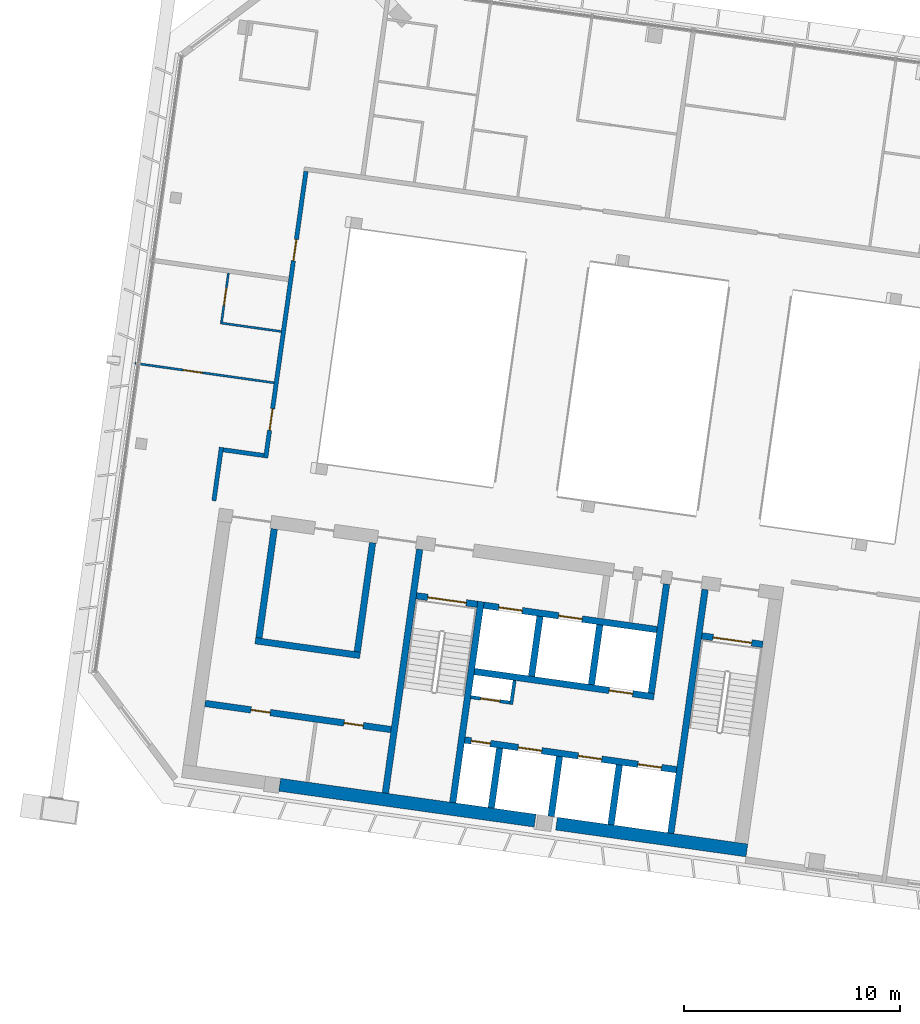
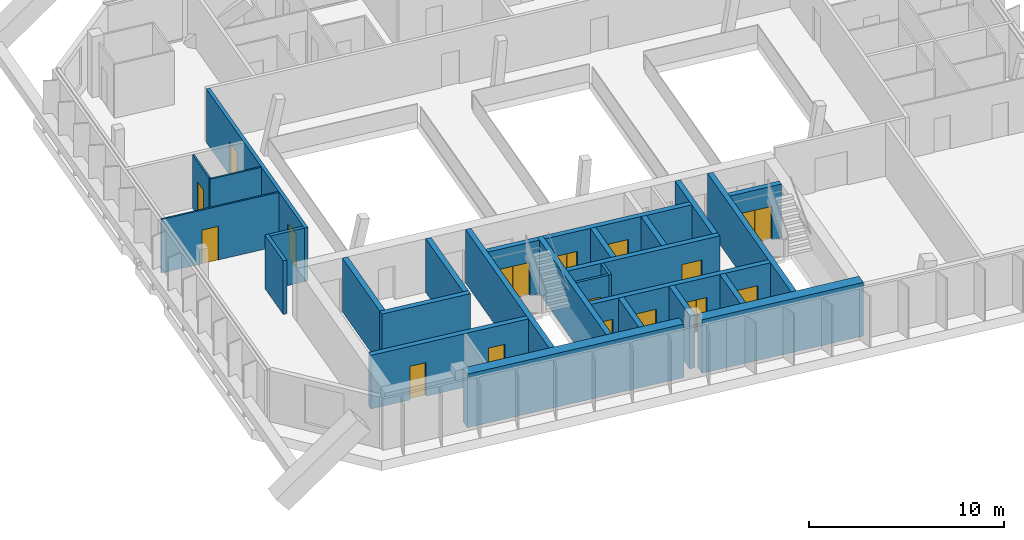
# One storey, part 14 of 25: 28 walls, 16 doors, 16 openings.
"""IFC4 building model written with IfcOpenShell, lengths in metres."""

import ifcopenshell
import ifcopenshell.guid

model = None  # the IFC model being written
_history = None  # IfcOwnerHistory: only IFC2X3 demands one
_inside = {}  # id of a spatial element -> (the spatial element, [elements in it])
_under = {}  # id of a project, library or spatial element -> (it, [spatial elements below it])
_declared = {}  # id of a project -> (the project, [libraries it declares])
_typed = {}  # id of a type object -> (the type object, [elements of that type])
_made_of = {}  # id of a material, layer set ... -> (it, [elements and type objects made of it])


def new_model(schema):
    """Start an empty IFC model of exactly this schema.

    Asked for "IFC4X3", IfcOpenShell would pick the latest addendum, in which some entities
    have other attributes; the version numbers below select the first issue.
    IFC2X3 requires an IfcOwnerHistory on every rooted entity: one is made here for all.
    """
    global model, _history
    if schema == "IFC4X3":
        model = ifcopenshell.file(schema_version=(4, 3, 0, 0))
    else:
        model = ifcopenshell.file(schema=schema)
    _inside.clear()
    _under.clear()
    _declared.clear()
    _typed.clear()
    _made_of.clear()
    _history = None
    if model.schema == "IFC2X3":
        org = make("IfcOrganization", Name="unknown")
        user = make(
            "IfcPersonAndOrganization",
            ThePerson=make("IfcPerson", FamilyName="unknown"),
            TheOrganization=org,
        )
        app = make(
            "IfcApplication",
            ApplicationDeveloper=org,
            Version="unknown",
            ApplicationFullName="unknown",
            ApplicationIdentifier="unknown",
        )
        _history = make(
            "IfcOwnerHistory",
            OwningUser=user,
            OwningApplication=app,
            ChangeAction="ADDED",
            CreationDate=0,
        )
    return model


def make(cls, **values):
    """One entity of the class cls with the attributes given. An attribute that is None is left unset."""
    return model.create_entity(
        cls, **{name: value for name, value in values.items() if value is not None}
    )


def rooted(cls, **values):
    """An entity with a GlobalId (a new one), such as an element, a storey or a relation."""
    return make(cls, GlobalId=ifcopenshell.guid.new(), OwnerHistory=_history, **values)


def si_unit(unit_type, name, prefix=None):
    """IfcSIUnit, for example si_unit("LENGTHUNIT", "METRE", prefix="MILLI")."""
    return make("IfcSIUnit", UnitType=unit_type, Prefix=prefix, Name=name)


def assignment(units):
    """IfcUnitAssignment: the units of a project."""
    return None if units is None else make("IfcUnitAssignment", Units=units)


def point(xyz):
    """IfcCartesianPoint."""
    return None if xyz is None else make("IfcCartesianPoint", Coordinates=xyz)


def direction(xyz):
    """IfcDirection."""
    return None if xyz is None else make("IfcDirection", DirectionRatios=xyz)


def frame(location, z_axis=None, x_axis=None):
    """IfcAxis2Placement3D, a coordinate frame: its origin and axes. An axis left out is left unset."""
    return make(
        "IfcAxis2Placement3D",
        Location=point(location),
        Axis=direction(z_axis),
        RefDirection=direction(x_axis),
    )


def frame_2d(location, x_axis=None):
    """IfcAxis2Placement2D, a coordinate frame in the plane: its origin and x axis."""
    return make(
        "IfcAxis2Placement2D", Location=point(location), RefDirection=direction(x_axis)
    )


def origin():
    """The frame at (0, 0, 0) with its axes left unset."""
    return frame((0.0, 0.0, 0.0))


def place(relative_to, where):
    """IfcLocalPlacement: puts the frame where relative to a parent placement (None: the world)."""
    return make(
        "IfcLocalPlacement", PlacementRelTo=relative_to, RelativePlacement=where
    )


def context(
    kind, dimensions, precision=None, world=None, true_north=None, identifier=None
):
    """IfcGeometricRepresentationContext, for example the 3D "Model" context."""
    return make(
        "IfcGeometricRepresentationContext",
        ContextIdentifier=identifier,
        ContextType=kind,
        CoordinateSpaceDimension=dimensions,
        Precision=precision,
        WorldCoordinateSystem=world,
        TrueNorth=true_north,
    )


def subcontext(parent, identifier, kind, view, scale=None):
    """IfcGeometricRepresentationSubContext, for example "Body" below "Model"."""
    return make(
        "IfcGeometricRepresentationSubContext",
        ContextIdentifier=identifier,
        ContextType=kind,
        ParentContext=parent,
        TargetScale=scale,
        TargetView=view,
    )


def project(units=None, contexts=None):
    """IfcProject with its units and contexts."""
    return rooted(
        "IfcProject",
        Name="project",
        RepresentationContexts=contexts,
        UnitsInContext=assignment(units),
    )


def spatial(cls, under=None, at=None, **own):
    """A site, building, storey or space (cls), placed at a placement, below another one or the project."""
    s = rooted(cls, ObjectPlacement=at, **own)
    if under is not None:
        _under.setdefault(under.id(), (under, []))[1].append(s)
    return s


def profile(cls, at=None, kind="AREA", **sizes):
    """A parametric profile (cls). Its sizes go by their IFC names, for example OverallWidth=200.0."""
    return make(cls, ProfileType=kind, Position=at, **sizes)


def rectangle(**sizes):
    """IfcRectangleProfileDef."""
    return profile("IfcRectangleProfileDef", **sizes)


def extrude(swept, where, along, depth):
    """IfcExtrudedAreaSolid: the profile swept, set in the frame where, extruded along a direction by depth."""
    return make(
        "IfcExtrudedAreaSolid",
        SweptArea=swept,
        Position=where,
        ExtrudedDirection=direction(along),
        Depth=depth,
    )


def shape(context_of_items, identifier, shape_type, items):
    """IfcShapeRepresentation: the items that make up one representation, for example the "Body"."""
    return make(
        "IfcShapeRepresentation",
        ContextOfItems=context_of_items,
        RepresentationIdentifier=identifier,
        RepresentationType=shape_type,
        Items=items,
    )


def material(Name=None, Category=None):
    """IfcMaterial."""
    return make("IfcMaterial", Name=Name, Category=Category)


def layer(
    of_material, thickness, ventilated=None, Name=None, Category=None, Priority=None
):
    """IfcMaterialLayer: one layer of a wall or slab, of a material (None: an air gap)."""
    return make(
        "IfcMaterialLayer",
        Material=of_material,
        LayerThickness=thickness,
        IsVentilated=ventilated,
        Name=Name,
        Category=Category,
        Priority=Priority,
    )


def layer_set(layers, Name=None):
    """IfcMaterialLayerSet."""
    return make("IfcMaterialLayerSet", MaterialLayers=layers, LayerSetName=Name)


def made_of(thing, what):
    """Note that an element or type object is made of a material, layer set ...; save() writes the relation."""
    if what is not None:
        _made_of.setdefault(what.id(), (what, []))[1].append(thing)
    return thing


def type_object(cls, material=None, **own):
    """A type object (cls), such as IfcWallType, which elements share."""
    return made_of(rooted(cls, **own), material)


def element(
    cls,
    number,
    at=None,
    inside=None,
    cuts=None,
    type_object=None,
    material=None,
    context=None,
    identifier="Body",
    shape_type=None,
    held_by="IfcProductDefinitionShape",
    body=None,
    shapes=None,
    **own,
):
    """One element of the class cls, such as IfcWall. Its Tag is "e" and its number.

    at: its placement. inside: the storey or other place that contains it. cuts: it is an
    opening in that element (IfcRelVoidsElement). A single representation is given by context,
    identifier, shape_type and body (its items); several are given by shapes. held_by: the class
    of the entity that holds the representations. save() writes the other relations.
    """
    e = rooted(cls, Tag="e%d" % number, ObjectPlacement=at, **own)
    if body is not None:
        shapes = [shape(context, identifier, shape_type, body)]
    if shapes is not None:
        e.Representation = make(held_by, Representations=shapes)
    if inside is not None:
        _inside.setdefault(inside.id(), (inside, []))[1].append(e)
    if cuts is not None:
        rooted(
            "IfcRelVoidsElement", RelatingBuildingElement=cuts, RelatedOpeningElement=e
        )
    if type_object is not None:
        _typed.setdefault(type_object.id(), (type_object, []))[1].append(e)
    return made_of(e, material)


def fill(opening, filler):
    """IfcRelFillsElement: the door or window that sits in an opening."""
    return rooted(
        "IfcRelFillsElement",
        RelatingOpeningElement=opening,
        RelatedBuildingElement=filler,
    )


def aggregate(whole, parts):
    """IfcRelAggregates: a whole, such as a stair, and the parts it consists of."""
    return rooted("IfcRelAggregates", RelatingObject=whole, RelatedObjects=parts)


def save(model, path):
    """Write the relations noted so far, then the file.

    IfcRelAggregates (storeys below a building ...), IfcRelContainedInSpatialStructure (elements
    in a storey), IfcRelDefinesByType, IfcRelAssociatesMaterial and IfcRelDeclares: one each for
    every whole, place, type object, material and project.
    """
    for whole, parts in _under.values():
        aggregate(whole, parts)
    for where, things in _inside.values():
        rooted(
            "IfcRelContainedInSpatialStructure",
            RelatedElements=things,
            RelatingStructure=where,
        )
    for kind, things in _typed.values():
        rooted("IfcRelDefinesByType", RelatedObjects=things, RelatingType=kind)
    for what, things in _made_of.values():
        rooted("IfcRelAssociatesMaterial", RelatedObjects=things, RelatingMaterial=what)
    for by, libraries in _declared.values():
        rooted("IfcRelDeclares", RelatingContext=by, RelatedDefinitions=libraries)
    model.write(path)


model = new_model("IFC4")

# Units and contexts
model_context = context("Model", 3, precision=1e-05, world=origin(), true_north=direction((0.0, 1.0)))
body_context = subcontext(model_context, "Body", "Model", "MODEL_VIEW")
ifc_project = project(units=[si_unit("LENGTHUNIT", "METRE"), si_unit("AREAUNIT", "SQUARE_METRE"), si_unit("VOLUMEUNIT", "CUBIC_METRE"), si_unit("PLANEANGLEUNIT", "RADIAN"), si_unit("MASSUNIT", "GRAM", prefix="KILO")], contexts=[model_context])

# Site, building, storey
site_placement = place(None, origin())
site = spatial("IfcSite", under=ifc_project, at=site_placement, CompositionType="ELEMENT")
building_placement = place(site_placement, origin())
building = spatial("IfcBuilding", under=site, at=building_placement, Name="Mirante Cascada Hotel Towers", CompositionType="ELEMENT")
storey_placement = place(building_placement, frame((0.0, 0.0, 247.0)))
storey = spatial("IfcBuildingStorey", under=building, at=storey_placement, Name="L59", CompositionType="ELEMENT", Elevation=247.0)

# Wall
ifc_material_1 = material(Name="Fire-rated plasterboard on metal studs")
ifc_layer_1 = layer(ifc_material_1, 0.2)
ifc_layer_set_1 = layer_set([ifc_layer_1], Name="Compartment wall 200 EI 120")
wall_type_1 = type_object("IfcWallType", Name="Compartment wall 200 EI 120", PredefinedType="PARTITIONING", material=ifc_layer_set_1)
wall_1_placement = place(storey_placement, frame((-59.6861, -1.2613, 0.0), z_axis=(0.0, 0.0, 1.0), x_axis=(-0.9902701, 0.1391589, 0.0)))
element("IfcWall", 1, at=wall_1_placement, inside=storey, type_object=wall_type_1, Name="Wall 1-L59-04", PredefinedType="PARTITIONING", context=body_context, shape_type="SweptSolid", body=[
    extrude(rectangle(XDim=1.9, YDim=0.2, at=frame_2d((0.95, 0.0))), origin(), (0.0, 0.0, 1.0), 3.35),
])

# Wall, openings, doors
wall_2_placement = place(storey_placement, frame((-59.601, -1.3742, 0.0), z_axis=(0.0, 0.0, 1.0), x_axis=(0.1391726, 0.9902681, 0.0)))
wall_2 = element("IfcWall", 2, at=wall_2_placement, inside=storey, type_object=wall_type_1, Name="Wall 1-L59-46", PredefinedType="PARTITIONING", context=body_context, shape_type="SweptSolid", body=[
    extrude(rectangle(XDim=13.3999, YDim=0.2, at=frame_2d((6.7, 0.0))), origin(), (0.0, 0.0, 1.0), 3.35),
])
opening_1_placement = place(wall_2_placement, frame((1.3, 0.0, 0.0)))
opening_1 = element("IfcOpeningElement", 3, at=opening_1_placement, cuts=wall_2, Name="Opening D1-L59-29", PredefinedType="OPENING", context=body_context, shape_type="SweptSolid", body=[
    extrude(rectangle(XDim=1.0, YDim=2.1, at=frame_2d((0.5, 1.05))), frame((0.0, 0.1, 0.0), z_axis=(0.0, -1.0, 0.0), x_axis=(1.0, 0.0, 0.0)), (0.0, 0.0, 1.0), 0.2),
])
opening_2_placement = place(wall_2_placement, frame((9.2166, 0.0, 0.0)))
opening_2 = element("IfcOpeningElement", 4, at=opening_2_placement, cuts=wall_2, Name="Opening D1-L59-30", PredefinedType="OPENING", context=body_context, shape_type="SweptSolid", body=[
    extrude(rectangle(XDim=1.0, YDim=2.1, at=frame_2d((0.5, 1.05))), frame((0.0, 0.1, 0.0), z_axis=(0.0, -1.0, 0.0), x_axis=(1.0, 0.0, 0.0)), (0.0, 0.0, 1.0), 0.2),
])
ifc_material_2 = material(Name="Fire-rated timber door leaf", Category="wood")
door_type_1 = type_object("IfcDoorType", Name="Entrance door DG1 1000x2100 EI 60", OperationType="SINGLE_SWING_LEFT", PredefinedType="DOOR", material=ifc_material_2)
door_1_placement = place(opening_1_placement, origin())
door_1 = element("IfcDoor", 5, at=door_1_placement, inside=storey, type_object=door_type_1, Name="Door D1-L59-29", OperationType="SINGLE_SWING_LEFT", OverallHeight=2.1, OverallWidth=1.0, PredefinedType="DOOR", context=body_context, shape_type="SweptSolid", body=[
    extrude(rectangle(XDim=1.0, YDim=2.1, at=frame_2d((0.5, 1.05))), frame((0.0, 0.025, 0.0), z_axis=(0.0, -1.0, 0.0), x_axis=(1.0, 0.0, 0.0)), (0.0, 0.0, 1.0), 0.05),
])
fill(opening_1, door_1)
door_2_placement = place(opening_2_placement, origin())
door_2 = element("IfcDoor", 6, at=door_2_placement, inside=storey, type_object=door_type_1, Name="Door D1-L59-30", OperationType="SINGLE_SWING_LEFT", OverallHeight=2.1, OverallWidth=1.0, PredefinedType="DOOR", context=body_context, shape_type="SweptSolid", body=[
    extrude(rectangle(XDim=1.0, YDim=2.1, at=frame_2d((0.5, 1.05))), frame((0.0, 0.025, 0.0), z_axis=(0.0, -1.0, 0.0), x_axis=(1.0, 0.0, 0.0)), (0.0, 0.0, 1.0), 0.05),
])
fill(opening_2, door_2)

# Walls
wall_3_placement = place(storey_placement, frame((-62.0006, -3.3596, 0.0), z_axis=(0.0, 0.0, 1.0), x_axis=(0.1391586, 0.9902701, 0.0)))
element("IfcWall", 7, at=wall_3_placement, inside=storey, type_object=wall_type_1, Name="Wall 1-L59-48", PredefinedType="PARTITIONING", context=body_context, shape_type="SweptSolid", body=[
    extrude(rectangle(XDim=2.5, YDim=0.2, at=frame_2d((1.25, 0.0))), origin(), (0.0, 0.0, 1.0), 3.35),
])
ifc_material_3 = material(Name="Masonry block", Category="masonry")
ifc_layer_2 = layer(ifc_material_3, 0.15)
ifc_layer_set_2 = layer_set([ifc_layer_2], Name="Core room partition 150 block EI 30")
wall_type_2 = type_object("IfcWallType", Name="Core room partition 150 block EI 30", PredefinedType="PARTITIONING", material=ifc_layer_set_2)
wall_4_placement = place(storey_placement, frame((-48.2295, -12.793, 0.0), z_axis=(0.0, 0.0, 1.0), x_axis=(0.1391935, 0.9902652, 0.0)))
element("IfcWall", 8, at=wall_4_placement, inside=storey, type_object=wall_type_2, Name="Core wall partition T1 L59 2", PredefinedType="PARTITIONING", context=body_context, shape_type="SweptSolid", body=[
    extrude(rectangle(XDim=1.1251, YDim=0.15, at=frame_2d((0.5626, 0.0))), origin(), (0.0, 0.0, 1.0), 3.35),
])

# Wall, opening, door
wall_5_placement = place(storey_placement, frame((-48.2933, -12.7083, 0.0), z_axis=(0.0, 0.0, 1.0), x_axis=(-0.990268, 0.1391734, 0.0)))
wall_5 = element("IfcWall", 9, at=wall_5_placement, inside=storey, type_object=wall_type_2, Name="Core wall partition T1 L59 3", PredefinedType="PARTITIONING", context=body_context, shape_type="SweptSolid", body=[
    extrude(rectangle(XDim=1.8251, YDim=0.15, at=frame_2d((0.9126, 0.0))), origin(), (0.0, 0.0, 1.0), 3.35),
])
opening_3_placement = place(wall_5_placement, frame((0.4625, 0.0, 0.0)))
opening_3 = element("IfcOpeningElement", 10, at=opening_3_placement, cuts=wall_5, Name="Opening D1-59-C15", PredefinedType="OPENING", context=body_context, shape_type="SweptSolid", body=[
    extrude(rectangle(XDim=0.9, YDim=2.1, at=frame_2d((0.45, 1.05))), frame((0.0, 0.075, 0.0), z_axis=(0.0, -1.0, 0.0), x_axis=(1.0, 0.0, 0.0)), (0.0, 0.0, 1.0), 0.15),
])
ifc_material_4 = material(Name="Hollow metal fire door leaf")
door_type_2 = type_object("IfcDoorType", Name="Fire door 900x2100 FD60", OperationType="NOTDEFINED", PredefinedType="DOOR", material=ifc_material_4)
door_3_placement = place(opening_3_placement, origin())
door_3 = element("IfcDoor", 11, at=door_3_placement, inside=storey, type_object=door_type_2, Name="Riser door T1 L59 15", OperationType="SINGLE_SWING_LEFT", OverallHeight=2.1, OverallWidth=0.9, PredefinedType="DOOR", context=body_context, shape_type="SweptSolid", body=[
    extrude(rectangle(XDim=0.9, YDim=2.1, at=frame_2d((0.45, 1.05))), frame((0.0, 0.025, 0.0), z_axis=(0.0, -1.0, 0.0), x_axis=(1.0, 0.0, 0.0)), (0.0, 0.0, 1.0), 0.05),
])
fill(opening_3, door_3)

# Wall, openings, doors
ifc_material_5 = material(Name="Masonry block", Category="masonry")
ifc_layer_3 = layer(ifc_material_5, 0.3)
ifc_layer_set_3 = layer_set([ifc_layer_3], Name="Core wall 300 block EI 120")
wall_type_3 = type_object("IfcWallType", Name="Core wall 300 block EI 120", PredefinedType="PARTITIONING", material=ifc_layer_set_3)
wall_6_placement = place(storey_placement, frame((-53.7953, -13.9547, 0.0), z_axis=(0.0, 0.0, 1.0), x_axis=(-0.9902683, 0.1391714, 0.0)))
wall_6 = element("IfcWall", 12, at=wall_6_placement, inside=storey, type_object=wall_type_3, Name="Core wall partition T1 L59 5", PredefinedType="PARTITIONING", context=body_context, shape_type="SweptSolid", body=[
    extrude(rectangle(XDim=8.7001, YDim=0.3, at=frame_2d((4.3501, 0.0))), origin(), (0.0, 0.0, 1.0), 3.35),
])
opening_4_placement = place(wall_6_placement, frame((1.3, 0.0, 0.0)))
opening_4 = element("IfcOpeningElement", 13, at=opening_4_placement, cuts=wall_6, Name="Opening D1-59-C18", PredefinedType="OPENING", context=body_context, shape_type="SweptSolid", body=[
    extrude(rectangle(XDim=0.9, YDim=2.1, at=frame_2d((0.45, 1.05))), frame((0.0, 0.15, 0.0), z_axis=(0.0, -1.0, 0.0), x_axis=(1.0, 0.0, 0.0)), (0.0, 0.0, 1.0), 0.3),
])
opening_5_placement = place(wall_6_placement, frame((5.65, 0.0, 0.0)))
opening_5 = element("IfcOpeningElement", 14, at=opening_5_placement, cuts=wall_6, Name="Opening D1-59-C19", PredefinedType="OPENING", context=body_context, shape_type="SweptSolid", body=[
    extrude(rectangle(XDim=0.9, YDim=2.1, at=frame_2d((0.45, 1.05))), frame((0.0, 0.15, 0.0), z_axis=(0.0, -1.0, 0.0), x_axis=(1.0, 0.0, 0.0)), (0.0, 0.0, 1.0), 0.3),
])
door_4_placement = place(opening_4_placement, origin())
door_4 = element("IfcDoor", 15, at=door_4_placement, inside=storey, type_object=door_type_2, Name="Room door T1 L59 18", OperationType="SINGLE_SWING_RIGHT", OverallHeight=2.1, OverallWidth=0.9, PredefinedType="DOOR", context=body_context, shape_type="SweptSolid", body=[
    extrude(rectangle(XDim=0.9, YDim=2.1, at=frame_2d((0.45, 1.05))), frame((0.0, 0.025, 0.0), z_axis=(0.0, -1.0, 0.0), x_axis=(1.0, 0.0, 0.0)), (0.0, 0.0, 1.0), 0.05),
])
fill(opening_4, door_4)
door_5_placement = place(opening_5_placement, origin())
door_5 = element("IfcDoor", 16, at=door_5_placement, inside=storey, type_object=door_type_2, Name="Room door T1 L59 19", OperationType="SINGLE_SWING_LEFT", OverallHeight=2.1, OverallWidth=0.9, PredefinedType="DOOR", context=body_context, shape_type="SweptSolid", body=[
    extrude(rectangle(XDim=0.9, YDim=2.1, at=frame_2d((0.45, 1.05))), frame((0.0, 0.025, 0.0), z_axis=(0.0, -1.0, 0.0), x_axis=(1.0, 0.0, 0.0)), (0.0, 0.0, 1.0), 0.05),
])
fill(opening_5, door_5)

# Wall, opening, door
ifc_material_6 = material(Name="Plasterboard on metal studs")
ifc_layer_4 = layer(ifc_material_6, 0.1)
ifc_layer_set_4 = layer_set([ifc_layer_4], Name="Partition 100")
wall_type_4 = type_object("IfcWallType", Name="Partition 100", PredefinedType="PARTITIONING", material=ifc_layer_set_4)
wall_7_placement = place(storey_placement, frame((-59.2129, 2.1056, 0.0), z_axis=(0.0, 0.0, 1.0), x_axis=(-0.9902688, 0.1391681, 0.0)))
wall_7 = element("IfcWall", 17, at=wall_7_placement, inside=storey, type_object=wall_type_4, Name="Wall 1-L59-08", PredefinedType="PARTITIONING", context=body_context, shape_type="SweptSolid", body=[
    extrude(rectangle(XDim=6.5001, YDim=0.1, at=frame_2d((3.25, 0.0))), origin(), (0.0, 0.0, 1.0), 3.35),
])
opening_6_placement = place(wall_7_placement, frame((3.35, 0.0, 0.0)))
opening_6 = element("IfcOpeningElement", 18, at=opening_6_placement, cuts=wall_7, Name="Opening D1-L59-04", PredefinedType="OPENING", context=body_context, shape_type="SweptSolid", body=[
    extrude(rectangle(XDim=0.9, YDim=2.1, at=frame_2d((0.45, 1.05))), frame((0.0, 0.05, 0.0), z_axis=(0.0, -1.0, 0.0), x_axis=(1.0, 0.0, 0.0)), (0.0, 0.0, 1.0), 0.1),
])
ifc_material_7 = material(Name="Timber door leaf", Category="wood")
door_type_3 = type_object("IfcDoorType", Name="Room door DG3 900x2100", OperationType="SINGLE_SWING_LEFT", PredefinedType="DOOR", material=ifc_material_7)
door_6_placement = place(opening_6_placement, origin())
door_6 = element("IfcDoor", 19, at=door_6_placement, inside=storey, type_object=door_type_3, Name="Door D1-L59-04", OperationType="SINGLE_SWING_LEFT", OverallHeight=2.1, OverallWidth=0.9, PredefinedType="DOOR", context=body_context, shape_type="SweptSolid", body=[
    extrude(rectangle(XDim=0.9, YDim=2.1, at=frame_2d((0.45, 1.05))), frame((0.0, 0.025, 0.0), z_axis=(0.0, -1.0, 0.0), x_axis=(1.0, 0.0, 0.0)), (0.0, 0.0, 1.0), 0.05),
])
fill(opening_6, door_6)

# Wall
wall_8_placement = place(storey_placement, frame((-61.7012, 4.8789, 0.0), z_axis=(0.0, 0.0, 1.0), x_axis=(0.9902656, -0.1391909, 0.0)))
element("IfcWall", 20, at=wall_8_placement, inside=storey, type_object=wall_type_4, Name="Wall 1-L59-11", PredefinedType="PARTITIONING", context=body_context, shape_type="SweptSolid", body=[
    extrude(rectangle(XDim=2.85, YDim=0.1, at=frame_2d((1.425, 0.0))), origin(), (0.0, 0.0, 1.0), 3.35),
])

# Wall, opening, door
wall_9_placement = place(storey_placement, frame((-61.3269, 7.1825, 0.0), z_axis=(0.0, 0.0, 1.0), x_axis=(-0.139183, -0.9902667, 0.0)))
wall_9 = element("IfcWall", 21, at=wall_9_placement, inside=storey, type_object=wall_type_4, Name="Wall 1-L59-49", PredefinedType="PARTITIONING", context=body_context, shape_type="SweptSolid", body=[
    extrude(rectangle(XDim=2.2833, YDim=0.1, at=frame_2d((1.1416, 0.0))), origin(), (0.0, 0.0, 1.0), 3.35),
])
opening_7_placement = place(wall_9_placement, frame((0.7, 0.0, 0.0)))
opening_7 = element("IfcOpeningElement", 22, at=opening_7_placement, cuts=wall_9, Name="Opening D1-L59-31", PredefinedType="OPENING", context=body_context, shape_type="SweptSolid", body=[
    extrude(rectangle(XDim=0.8, YDim=2.1, at=frame_2d((0.4, 1.05))), frame((0.0, 0.05, 0.0), z_axis=(0.0, -1.0, 0.0), x_axis=(1.0, 0.0, 0.0)), (0.0, 0.0, 1.0), 0.1),
])
ifc_material_8 = material(Name="Timber door leaf", Category="wood")
door_type_4 = type_object("IfcDoorType", Name="Bathroom door DG4 800x2100", OperationType="SINGLE_SWING_LEFT", PredefinedType="DOOR", material=ifc_material_8)
door_7_placement = place(opening_7_placement, frame((0.8, 0.0, 0.0), z_axis=(0.0, 0.0, 1.0), x_axis=(-1.0, 0.0, 0.0)))
door_7 = element("IfcDoor", 23, at=door_7_placement, inside=storey, type_object=door_type_4, Name="Door D1-L59-31", OperationType="SINGLE_SWING_RIGHT", OverallHeight=2.1, OverallWidth=0.8, PredefinedType="DOOR", context=body_context, shape_type="SweptSolid", body=[
    extrude(rectangle(XDim=0.8, YDim=2.1, at=frame_2d((0.4, 1.05))), frame((0.0, 0.025, 0.0), z_axis=(0.0, -1.0, 0.0), x_axis=(1.0, 0.0, 0.0)), (0.0, 0.0, 1.0), 0.05),
])
fill(opening_7, door_7)

# Walls
ifc_material_9 = material(Name="Concrete C50/60", Category="concrete")
ifc_layer_5 = layer(ifc_material_9, 0.3)
ifc_layer_set_5 = layer_set([ifc_layer_5], Name="RC core wall 300 C50/60")
wall_type_5 = type_object("IfcWallType", Name="RC core wall 300 C50/60", PredefinedType="SHEAR", material=ifc_layer_set_5)
wall_10_placement = place(storey_placement, frame((-40.8373, -18.7548, 0.0), z_axis=(0.0, 0.0, 1.0), x_axis=(0.1391749, 0.9902678, 0.0)))
element("IfcWall", 24, at=wall_10_placement, inside=storey, type_object=wall_type_5, Name="Core wall T1:L59:5", PredefinedType="SHEAR", context=body_context, shape_type="SweptSolid", body=[
    extrude(rectangle(XDim=11.4, YDim=0.3, at=frame_2d((5.7, 0.0))), origin(), (0.0, 0.0, 1.0), 3.35),
])
wall_11_placement = place(storey_placement, frame((-50.938, -17.3352, 0.0), z_axis=(0.0, 0.0, 1.0), x_axis=(0.1391706, 0.9902684, 0.0)))
element("IfcWall", 25, at=wall_11_placement, inside=storey, type_object=wall_type_5, Name="Core wall T1:L59:6", PredefinedType="SHEAR", context=body_context, shape_type="SweptSolid", body=[
    extrude(rectangle(XDim=9.4, YDim=0.3, at=frame_2d((4.7, 0.0))), origin(), (0.0, 0.0, 1.0), 3.35),
])
wall_12_placement = place(storey_placement, frame((-54.0574, -16.8968, 0.0), z_axis=(0.0, 0.0, 1.0), x_axis=(0.1391761, 0.9902677, 0.0)))
element("IfcWall", 26, at=wall_12_placement, inside=storey, type_object=wall_type_5, Name="Core wall T1:L59:7", PredefinedType="SHEAR", context=body_context, shape_type="SweptSolid", body=[
    extrude(rectangle(XDim=11.3999, YDim=0.3, at=frame_2d((5.7, 0.0))), origin(), (0.0, 0.0, 1.0), 3.35),
])

# Wall, opening, door
wall_13_placement = place(storey_placement, frame((-36.5791, -10.0123, 0.0), z_axis=(0.0, 0.0, 1.0), x_axis=(-0.9902704, 0.1391564, 0.0)))
wall_13 = element("IfcWall", 27, at=wall_13_placement, inside=storey, type_object=wall_type_5, Name="Core wall T1:L59:8", PredefinedType="SHEAR", context=body_context, shape_type="SweptSolid", body=[
    extrude(rectangle(XDim=2.85, YDim=0.3, at=frame_2d((1.425, 0.0))), origin(), (0.0, 0.0, 1.0), 3.35),
])
opening_8_placement = place(wall_13_placement, frame((0.525, 0.0, 0.0)))
opening_8 = element("IfcOpeningElement", 28, at=opening_8_placement, cuts=wall_13, Name="Opening D1-59-C07", PredefinedType="OPENING", context=body_context, shape_type="SweptSolid", body=[
    extrude(rectangle(XDim=1.8, YDim=2.1, at=frame_2d((0.9, 1.05))), frame((0.0, 0.15, 0.0), z_axis=(0.0, -1.0, 0.0), x_axis=(1.0, 0.0, 0.0)), (0.0, 0.0, 1.0), 0.3),
])
ifc_material_10 = material(Name="Hollow metal fire door leaf")
door_type_5 = type_object("IfcDoorType", Name="Double fire door 1800x2100 FD60", OperationType="DOUBLE_DOOR_SINGLE_SWING", PredefinedType="DOOR", material=ifc_material_10)
door_8_placement = place(opening_8_placement, origin())
door_8 = element("IfcDoor", 29, at=door_8_placement, inside=storey, type_object=door_type_5, Name="Stair door T1 L59 7", OperationType="DOUBLE_DOOR_SINGLE_SWING", OverallHeight=2.1, OverallWidth=1.8, PredefinedType="DOOR", context=body_context, shape_type="SweptSolid", body=[
    extrude(rectangle(XDim=0.895, YDim=2.1, at=frame_2d((0.4475, 1.05))), frame((0.0, 0.025, 0.0), z_axis=(0.0, -1.0, 0.0), x_axis=(1.0, 0.0, 0.0)), (0.0, 0.0, 1.0), 0.05),
    extrude(rectangle(XDim=0.895, YDim=2.1, at=frame_2d((1.3525, 1.05))), frame((0.0, 0.025, 0.0), z_axis=(0.0, -1.0, 0.0), x_axis=(1.0, 0.0, 0.0)), (0.0, 0.0, 1.0), 0.05),
])
fill(opening_8, door_8)

wall_14_placement = place(storey_placement, frame((-49.7992, -8.1544, 0.0), z_axis=(0.0, 0.0, 1.0), x_axis=(-0.9902656, 0.1391909, 0.0)))
wall_14 = element("IfcWall", 30, at=wall_14_placement, inside=storey, type_object=wall_type_5, Name="Core wall T1:L59:9", PredefinedType="SHEAR", context=body_context, shape_type="SweptSolid", body=[
    extrude(rectangle(XDim=2.85, YDim=0.3, at=frame_2d((1.425, 0.0))), origin(), (0.0, 0.0, 1.0), 3.35),
])
opening_9_placement = place(wall_14_placement, frame((0.525, 0.0, 0.0)))
opening_9 = element("IfcOpeningElement", 31, at=opening_9_placement, cuts=wall_14, Name="Opening D1-59-C09", PredefinedType="OPENING", context=body_context, shape_type="SweptSolid", body=[
    extrude(rectangle(XDim=1.8, YDim=2.1, at=frame_2d((0.9, 1.05))), frame((0.0, 0.15, 0.0), z_axis=(0.0, -1.0, 0.0), x_axis=(1.0, 0.0, 0.0)), (0.0, 0.0, 1.0), 0.3),
])
door_9_placement = place(opening_9_placement, origin())
door_9 = element("IfcDoor", 32, at=door_9_placement, inside=storey, type_object=door_type_5, Name="Stair door T1 L59 9", OperationType="DOUBLE_DOOR_SINGLE_SWING", OverallHeight=2.1, OverallWidth=1.8, PredefinedType="DOOR", context=body_context, shape_type="SweptSolid", body=[
    extrude(rectangle(XDim=0.895, YDim=2.1, at=frame_2d((0.4475, 1.05))), frame((0.0, 0.025, 0.0), z_axis=(0.0, -1.0, 0.0), x_axis=(1.0, 0.0, 0.0)), (0.0, 0.0, 1.0), 0.05),
    extrude(rectangle(XDim=0.895, YDim=2.1, at=frame_2d((1.3525, 1.05))), frame((0.0, 0.025, 0.0), z_axis=(0.0, -1.0, 0.0), x_axis=(1.0, 0.0, 0.0)), (0.0, 0.0, 1.0), 0.05),
])
fill(opening_9, door_9)

# Wall, openings, doors
wall_15_placement = place(storey_placement, frame((-40.5753, -15.8126, 0.0), z_axis=(0.0, 0.0, 1.0), x_axis=(-0.9902682, 0.1391725, 0.0)))
wall_15 = element("IfcWall", 33, at=wall_15_placement, inside=storey, type_object=wall_type_5, Name="Core wall T1:L59:10", PredefinedType="SHEAR", context=body_context, shape_type="SweptSolid", body=[
    extrude(rectangle(XDim=9.8999, YDim=0.3, at=frame_2d((4.95, 0.0))), origin(), (0.0, 0.0, 1.0), 3.35),
])
opening_10_placement = place(wall_15_placement, frame((0.7, 0.0, 0.0)))
opening_10 = element("IfcOpeningElement", 34, at=opening_10_placement, cuts=wall_15, Name="Opening LD", PredefinedType="OPENING", context=body_context, shape_type="SweptSolid", body=[
    extrude(rectangle(XDim=1.1, YDim=2.1, at=frame_2d((0.55, 1.05))), frame((0.0, 0.15, 0.0), z_axis=(0.0, -1.0, 0.0), x_axis=(1.0, 0.0, 0.0)), (0.0, 0.0, 1.0), 0.3),
])
opening_11_placement = place(wall_15_placement, frame((3.5, 0.0, 0.0)))
opening_11 = element("IfcOpeningElement", 35, at=opening_11_placement, cuts=wall_15, Name="Opening LD", PredefinedType="OPENING", context=body_context, shape_type="SweptSolid", body=[
    extrude(rectangle(XDim=1.1, YDim=2.1, at=frame_2d((0.55, 1.05))), frame((0.0, 0.15, 0.0), z_axis=(0.0, -1.0, 0.0), x_axis=(1.0, 0.0, 0.0)), (0.0, 0.0, 1.0), 0.3),
])
opening_12_placement = place(wall_15_placement, frame((6.3, 0.0, 0.0)))
opening_12 = element("IfcOpeningElement", 36, at=opening_12_placement, cuts=wall_15, Name="Opening LD", PredefinedType="OPENING", context=body_context, shape_type="SweptSolid", body=[
    extrude(rectangle(XDim=1.1, YDim=2.1, at=frame_2d((0.55, 1.05))), frame((0.0, 0.15, 0.0), z_axis=(0.0, -1.0, 0.0), x_axis=(1.0, 0.0, 0.0)), (0.0, 0.0, 1.0), 0.3),
])
opening_13_placement = place(wall_15_placement, frame((8.7, 0.0, 0.0)))
opening_13 = element("IfcOpeningElement", 37, at=opening_13_placement, cuts=wall_15, Name="Opening D1-59-C14", PredefinedType="OPENING", context=body_context, shape_type="SweptSolid", body=[
    extrude(rectangle(XDim=0.9, YDim=2.1, at=frame_2d((0.45, 1.05))), frame((0.0, 0.15, 0.0), z_axis=(0.0, -1.0, 0.0), x_axis=(1.0, 0.0, 0.0)), (0.0, 0.0, 1.0), 0.3),
])
door_10_placement = place(opening_13_placement, origin())
door_10 = element("IfcDoor", 38, at=door_10_placement, inside=storey, type_object=door_type_2, Name="Riser door T1 L59 14", OperationType="SINGLE_SWING_LEFT", OverallHeight=2.1, OverallWidth=0.9, PredefinedType="DOOR", context=body_context, shape_type="SweptSolid", body=[
    extrude(rectangle(XDim=0.9, YDim=2.1, at=frame_2d((0.45, 1.05))), frame((0.0, 0.025, 0.0), z_axis=(0.0, -1.0, 0.0), x_axis=(1.0, 0.0, 0.0)), (0.0, 0.0, 1.0), 0.05),
])
fill(opening_13, door_10)
ifc_material_11 = material(Name="Stainless steel", Category="steel")
door_type_6 = type_object("IfcDoorType", Name="Lift landing door 1100x2100 EI 120", OperationType="DOUBLE_DOOR_SLIDING", PredefinedType="DOOR", material=ifc_material_11)
door_11_placement = place(opening_10_placement, origin())
door_11 = element("IfcDoor", 39, at=door_11_placement, inside=storey, type_object=door_type_6, Name="Lift landing door HR1-1 L59", OperationType="DOUBLE_DOOR_SLIDING", OverallHeight=2.1, OverallWidth=1.1, PredefinedType="DOOR", context=body_context, shape_type="SweptSolid", body=[
    extrude(rectangle(XDim=0.545, YDim=2.1, at=frame_2d((0.2725, 1.05))), frame((0.0, 0.025, 0.0), z_axis=(0.0, -1.0, 0.0), x_axis=(1.0, 0.0, 0.0)), (0.0, 0.0, 1.0), 0.05),
    extrude(rectangle(XDim=0.545, YDim=2.1, at=frame_2d((0.8275, 1.05))), frame((0.0, 0.025, 0.0), z_axis=(0.0, -1.0, 0.0), x_axis=(1.0, 0.0, 0.0)), (0.0, 0.0, 1.0), 0.05),
])
fill(opening_10, door_11)
door_12_placement = place(opening_11_placement, origin())
door_12 = element("IfcDoor", 40, at=door_12_placement, inside=storey, type_object=door_type_6, Name="Lift landing door HR1-2 L59", OperationType="DOUBLE_DOOR_SLIDING", OverallHeight=2.1, OverallWidth=1.1, PredefinedType="DOOR", context=body_context, shape_type="SweptSolid", body=[
    extrude(rectangle(XDim=0.545, YDim=2.1, at=frame_2d((0.2725, 1.05))), frame((0.0, 0.025, 0.0), z_axis=(0.0, -1.0, 0.0), x_axis=(1.0, 0.0, 0.0)), (0.0, 0.0, 1.0), 0.05),
    extrude(rectangle(XDim=0.545, YDim=2.1, at=frame_2d((0.8275, 1.05))), frame((0.0, 0.025, 0.0), z_axis=(0.0, -1.0, 0.0), x_axis=(1.0, 0.0, 0.0)), (0.0, 0.0, 1.0), 0.05),
])
fill(opening_11, door_12)
door_13_placement = place(opening_12_placement, origin())
door_13 = element("IfcDoor", 41, at=door_13_placement, inside=storey, type_object=door_type_6, Name="Lift landing door HR1-3 L59", OperationType="DOUBLE_DOOR_SLIDING", OverallHeight=2.1, OverallWidth=1.1, PredefinedType="DOOR", context=body_context, shape_type="SweptSolid", body=[
    extrude(rectangle(XDim=0.545, YDim=2.1, at=frame_2d((0.2725, 1.05))), frame((0.0, 0.025, 0.0), z_axis=(0.0, -1.0, 0.0), x_axis=(1.0, 0.0, 0.0)), (0.0, 0.0, 1.0), 0.05),
    extrude(rectangle(XDim=0.545, YDim=2.1, at=frame_2d((0.8275, 1.05))), frame((0.0, 0.025, 0.0), z_axis=(0.0, -1.0, 0.0), x_axis=(1.0, 0.0, 0.0)), (0.0, 0.0, 1.0), 0.05),
])
fill(opening_12, door_13)

# Wall, opening, door
wall_16_placement = place(storey_placement, frame((-41.6153, -12.435, 0.0), z_axis=(0.0, 0.0, 1.0), x_axis=(-0.9902691, 0.139166, 0.0)))
wall_16 = element("IfcWall", 42, at=wall_16_placement, inside=storey, type_object=wall_type_5, Name="Core wall T1:L59:11", PredefinedType="SHEAR", context=body_context, shape_type="SweptSolid", body=[
    extrude(rectangle(XDim=8.4, YDim=0.3, at=frame_2d((4.2, 0.0))), origin(), (0.0, 0.0, 1.0), 3.35),
])
opening_14_placement = place(wall_16_placement, frame((1.0, 0.0, 0.0)))
opening_14 = element("IfcOpeningElement", 43, at=opening_14_placement, cuts=wall_16, Name="Opening LD", PredefinedType="OPENING", context=body_context, shape_type="SweptSolid", body=[
    extrude(rectangle(XDim=1.1, YDim=2.1, at=frame_2d((0.55, 1.05))), frame((0.0, 0.15, 0.0), z_axis=(0.0, -1.0, 0.0), x_axis=(1.0, 0.0, 0.0)), (0.0, 0.0, 1.0), 0.3),
])
door_14_placement = place(opening_14_placement, origin())
door_14 = element("IfcDoor", 44, at=door_14_placement, inside=storey, type_object=door_type_6, Name="Lift landing door HR1-4 L59", OperationType="DOUBLE_DOOR_SLIDING", OverallHeight=2.1, OverallWidth=1.1, PredefinedType="DOOR", context=body_context, shape_type="SweptSolid", body=[
    extrude(rectangle(XDim=0.545, YDim=2.1, at=frame_2d((0.2725, 1.05))), frame((0.0, 0.025, 0.0), z_axis=(0.0, -1.0, 0.0), x_axis=(1.0, 0.0, 0.0)), (0.0, 0.0, 1.0), 0.05),
    extrude(rectangle(XDim=0.545, YDim=2.1, at=frame_2d((0.8275, 1.05))), frame((0.0, 0.025, 0.0), z_axis=(0.0, -1.0, 0.0), x_axis=(1.0, 0.0, 0.0)), (0.0, 0.0, 1.0), 0.05),
])
fill(opening_14, door_14)

# Wall, openings, doors
wall_17_placement = place(storey_placement, frame((-41.481, -9.3234, 0.0), z_axis=(0.0, 0.0, 1.0), x_axis=(-0.9902679, 0.1391741, 0.0)))
wall_17 = element("IfcWall", 45, at=wall_17_placement, inside=storey, type_object=wall_type_5, Name="Core wall T1:L59:12", PredefinedType="SHEAR", context=body_context, shape_type="SweptSolid", body=[
    extrude(rectangle(XDim=8.0999, YDim=0.3, at=frame_2d((4.05, 0.0))), origin(), (0.0, 0.0, 1.0), 3.35),
])
opening_15_placement = place(wall_17_placement, frame((3.5, 0.0, 0.0)))
opening_15 = element("IfcOpeningElement", 46, at=opening_15_placement, cuts=wall_17, Name="Opening LD", PredefinedType="OPENING", context=body_context, shape_type="SweptSolid", body=[
    extrude(rectangle(XDim=1.1, YDim=2.1, at=frame_2d((0.55, 1.05))), frame((0.0, 0.15, 0.0), z_axis=(0.0, -1.0, 0.0), x_axis=(1.0, 0.0, 0.0)), (0.0, 0.0, 1.0), 0.3),
])
opening_16_placement = place(wall_17_placement, frame((6.3, 0.0, 0.0)))
opening_16 = element("IfcOpeningElement", 47, at=opening_16_placement, cuts=wall_17, Name="Opening LD", PredefinedType="OPENING", context=body_context, shape_type="SweptSolid", body=[
    extrude(rectangle(XDim=1.1, YDim=2.1, at=frame_2d((0.55, 1.05))), frame((0.0, 0.15, 0.0), z_axis=(0.0, -1.0, 0.0), x_axis=(1.0, 0.0, 0.0)), (0.0, 0.0, 1.0), 0.3),
])
door_15_placement = place(opening_15_placement, origin())
door_15 = element("IfcDoor", 48, at=door_15_placement, inside=storey, type_object=door_type_6, Name="Lift landing door FF1 L59", OperationType="DOUBLE_DOOR_SLIDING", OverallHeight=2.1, OverallWidth=1.1, PredefinedType="DOOR", context=body_context, shape_type="SweptSolid", body=[
    extrude(rectangle(XDim=0.545, YDim=2.1, at=frame_2d((0.2725, 1.05))), frame((0.0, 0.025, 0.0), z_axis=(0.0, -1.0, 0.0), x_axis=(1.0, 0.0, 0.0)), (0.0, 0.0, 1.0), 0.05),
    extrude(rectangle(XDim=0.545, YDim=2.1, at=frame_2d((0.8275, 1.05))), frame((0.0, 0.025, 0.0), z_axis=(0.0, -1.0, 0.0), x_axis=(1.0, 0.0, 0.0)), (0.0, 0.0, 1.0), 0.05),
])
fill(opening_15, door_15)
door_16_placement = place(opening_16_placement, origin())
door_16 = element("IfcDoor", 49, at=door_16_placement, inside=storey, type_object=door_type_6, Name="Lift landing door FF2 L59", OperationType="DOUBLE_DOOR_SLIDING", OverallHeight=2.1, OverallWidth=1.1, PredefinedType="DOOR", context=body_context, shape_type="SweptSolid", body=[
    extrude(rectangle(XDim=0.545, YDim=2.1, at=frame_2d((0.2725, 1.05))), frame((0.0, 0.025, 0.0), z_axis=(0.0, -1.0, 0.0), x_axis=(1.0, 0.0, 0.0)), (0.0, 0.0, 1.0), 0.05),
    extrude(rectangle(XDim=0.545, YDim=2.1, at=frame_2d((0.8275, 1.05))), frame((0.0, 0.025, 0.0), z_axis=(0.0, -1.0, 0.0), x_axis=(1.0, 0.0, 0.0)), (0.0, 0.0, 1.0), 0.05),
])
fill(opening_16, door_16)

# Walls
wall_18_placement = place(storey_placement, frame((-43.61, -18.3651, 0.0), z_axis=(0.0, 0.0, 1.0), x_axis=(0.1391459, 0.9902719, 0.0)))
element("IfcWall", 50, at=wall_18_placement, inside=storey, type_object=wall_type_5, Name="Core wall T1:L59:13", PredefinedType="SHEAR", context=body_context, shape_type="SweptSolid", body=[
    extrude(rectangle(XDim=2.7999, YDim=0.3, at=frame_2d((1.4, 0.0))), origin(), (0.0, 0.0, 1.0), 3.35),
])
wall_19_placement = place(storey_placement, frame((-46.3828, -17.9754, 0.0), z_axis=(0.0, 0.0, 1.0), x_axis=(0.139181, 0.990267, 0.0)))
element("IfcWall", 51, at=wall_19_placement, inside=storey, type_object=wall_type_5, Name="Core wall T1:L59:14", PredefinedType="SHEAR", context=body_context, shape_type="SweptSolid", body=[
    extrude(rectangle(XDim=2.8, YDim=0.3, at=frame_2d((1.4, 0.0))), origin(), (0.0, 0.0, 1.0), 3.35),
])
wall_20_placement = place(storey_placement, frame((-49.1555, -17.5857, 0.0), z_axis=(0.0, 0.0, 1.0), x_axis=(0.1391459, 0.9902719, 0.0)))
element("IfcWall", 52, at=wall_20_placement, inside=storey, type_object=wall_type_5, Name="Core wall T1:L59:15", PredefinedType="SHEAR", context=body_context, shape_type="SweptSolid", body=[
    extrude(rectangle(XDim=2.7999, YDim=0.3, at=frame_2d((1.4, 0.0))), origin(), (0.0, 0.0, 1.0), 3.35),
])
for number, where, z_axis, x_axis, name in (
    (53, (-44.5157, -11.8759, 0.0), (0.0, 0.0, 1.0), (0.139181, 0.990267, 0.0), "Core wall T1:L59:16"),
    (54, (-47.2885, -11.4862, 0.0), (0.0, 0.0, 1.0), (0.139181, 0.990267, 0.0), "Core wall T1:L59:17"),
):
    element("IfcWall", number, at=place(storey_placement, frame(where, z_axis=z_axis, x_axis=x_axis)), inside=storey, type_object=wall_type_5, Name=name, PredefinedType="SHEAR", context=body_context, shape_type="SweptSolid", body=[
        extrude(rectangle(XDim=2.8, YDim=0.3, at=frame_2d((1.4, 0.0))), origin(), (0.0, 0.0, 1.0), 3.35),
    ])
wall_21_placement = place(storey_placement, frame((-41.743, -12.2656, 0.0), z_axis=(0.0, 0.0, 1.0), x_axis=(0.1391755, 0.9902677, 0.0)))
element("IfcWall", 55, at=wall_21_placement, inside=storey, type_object=wall_type_5, Name="Core wall T1:L59:18", PredefinedType="SHEAR", context=body_context, shape_type="SweptSolid", body=[
    extrude(rectangle(XDim=5.1, YDim=0.3, at=frame_2d((2.55, 0.0))), origin(), (0.0, 0.0, 1.0), 3.35),
])
wall_22_placement = place(storey_placement, frame((-55.2315, -10.5214, 0.0), z_axis=(0.0, 0.0, 1.0), x_axis=(-0.9902666, 0.1391838, 0.0)))
element("IfcWall", 56, at=wall_22_placement, inside=storey, type_object=wall_type_5, Name="Core wall T1:L59:25", PredefinedType="SHEAR", context=body_context, shape_type="SweptSolid", body=[
    extrude(rectangle(XDim=4.9, YDim=0.3, at=frame_2d((2.45, 0.0))), origin(), (0.0, 0.0, 1.0), 3.35),
])
for number, where, z_axis, x_axis, name in (
    (57, (-55.3592, -10.352, 0.0), (0.0, 0.0, 1.0), (0.1391755, 0.9902677, 0.0), "Core wall T1:L59:26"),
    (58, (-59.9144, -9.7118, 0.0), (0.0, 0.0, 1.0), (0.1391755, 0.9902677, 0.0), "Core wall T1:L59:27"),
):
    element("IfcWall", number, at=place(storey_placement, frame(where, z_axis=z_axis, x_axis=x_axis)), inside=storey, type_object=wall_type_5, Name=name, PredefinedType="SHEAR", context=body_context, shape_type="SweptSolid", body=[
        extrude(rectangle(XDim=5.1, YDim=0.3, at=frame_2d((2.55, 0.0))), origin(), (0.0, 0.0, 1.0), 3.35),
    ])
ifc_material_12 = material(Name="Concrete C50/60", Category="concrete")
ifc_layer_6 = layer(ifc_material_12, 0.6)
ifc_layer_set_6 = layer_set([ifc_layer_6], Name="RC core wall 600 C50/60")
wall_type_6 = type_object("IfcWallType", Name="RC core wall 600 C50/60", PredefinedType="SHEAR", material=ifc_layer_set_6)
wall_23_placement = place(storey_placement, frame((-37.3141, -19.5529, 0.0), z_axis=(0.0, 0.0, 1.0), x_axis=(-0.9902679, 0.1391743, 0.0)))
element("IfcWall", 59, at=wall_23_placement, inside=storey, type_object=wall_type_6, Name="Core wall T1:L59:1.1", PredefinedType="SHEAR", context=body_context, shape_type="SweptSolid", body=[
    extrude(rectangle(XDim=8.9047, YDim=0.6, at=frame_2d((4.4524, 0.0))), origin(), (0.0, 0.0, 1.0), 3.35),
])
wall_24_placement = place(storey_placement, frame((-47.1265, -18.1739, 0.0), z_axis=(0.0, 0.0, 1.0), x_axis=(-0.9902679, 0.1391746, 0.0)))
element("IfcWall", 60, at=wall_24_placement, inside=storey, type_object=wall_type_6, Name="Core wall T1:L59:1.2", PredefinedType="SHEAR", context=body_context, shape_type="SweptSolid", body=[
    extrude(rectangle(XDim=11.9411, YDim=0.6, at=frame_2d((5.9706, 0.0))), origin(), (0.0, 0.0, 1.0), 3.35),
])

save(model, "model.ifc")
